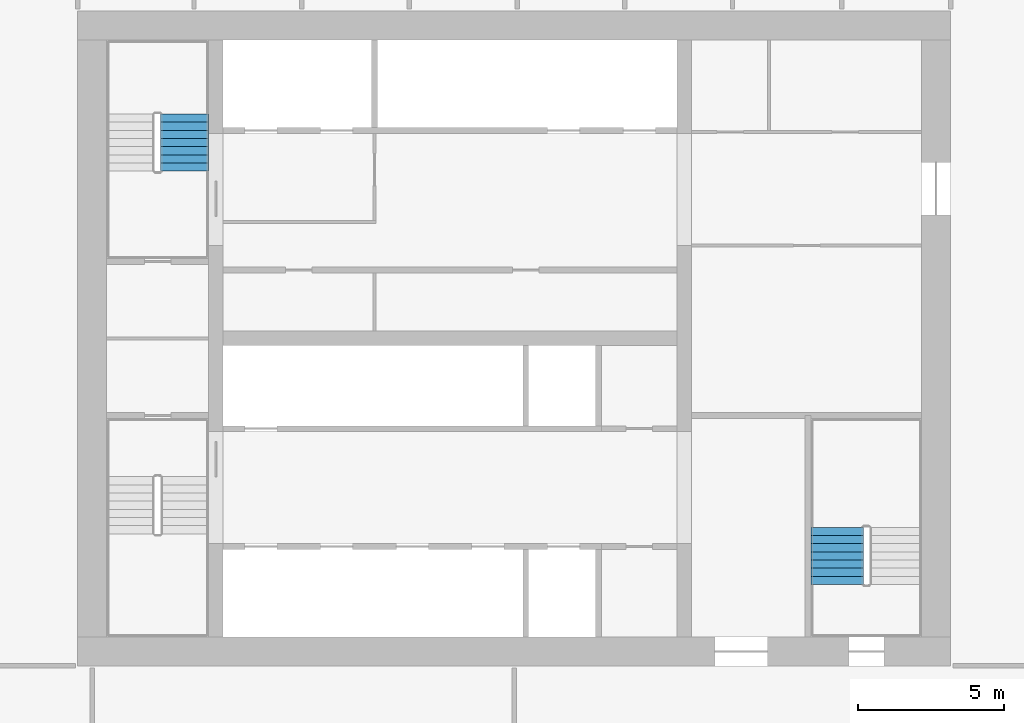
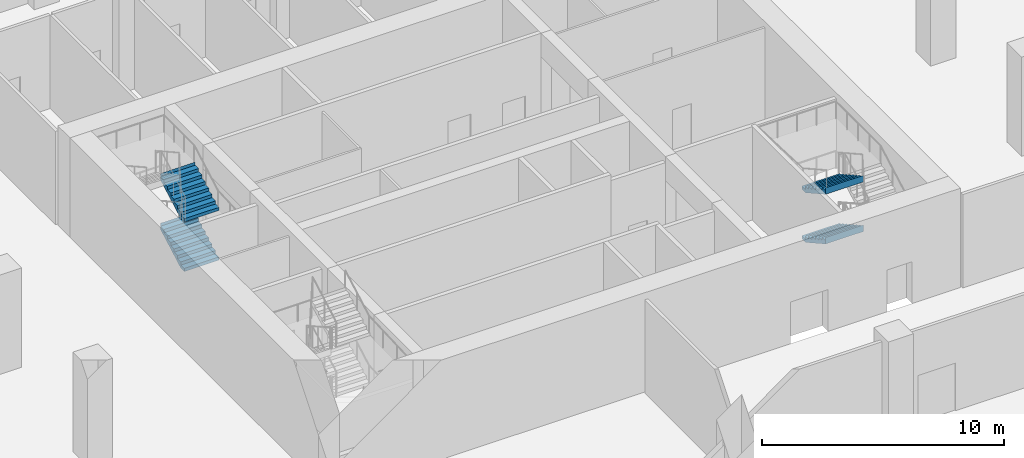
# One storey, part 15 of 32: 4 stair flights, 2 elements without a shape of their own.
"""IFC4 building model written with IfcOpenShell, lengths in metres."""

import ifcopenshell
import ifcopenshell.guid

model = None  # the IFC model being written
_history = None  # IfcOwnerHistory: only IFC2X3 demands one
_inside = {}  # id of a spatial element -> (the spatial element, [elements in it])
_under = {}  # id of a project, library or spatial element -> (it, [spatial elements below it])
_declared = {}  # id of a project -> (the project, [libraries it declares])
_typed = {}  # id of a type object -> (the type object, [elements of that type])
_made_of = {}  # id of a material, layer set ... -> (it, [elements and type objects made of it])


def new_model(schema):
    """Start an empty IFC model of exactly this schema.

    Asked for "IFC4X3", IfcOpenShell would pick the latest addendum, in which some entities
    have other attributes; the version numbers below select the first issue.
    IFC2X3 requires an IfcOwnerHistory on every rooted entity: one is made here for all.
    """
    global model, _history
    if schema == "IFC4X3":
        model = ifcopenshell.file(schema_version=(4, 3, 0, 0))
    else:
        model = ifcopenshell.file(schema=schema)
    _inside.clear()
    _under.clear()
    _declared.clear()
    _typed.clear()
    _made_of.clear()
    _history = None
    if model.schema == "IFC2X3":
        org = make("IfcOrganization", Name="unknown")
        user = make(
            "IfcPersonAndOrganization",
            ThePerson=make("IfcPerson", FamilyName="unknown"),
            TheOrganization=org,
        )
        app = make(
            "IfcApplication",
            ApplicationDeveloper=org,
            Version="unknown",
            ApplicationFullName="unknown",
            ApplicationIdentifier="unknown",
        )
        _history = make(
            "IfcOwnerHistory",
            OwningUser=user,
            OwningApplication=app,
            ChangeAction="ADDED",
            CreationDate=0,
        )
    return model


def make(cls, **values):
    """One entity of the class cls with the attributes given. An attribute that is None is left unset."""
    return model.create_entity(
        cls, **{name: value for name, value in values.items() if value is not None}
    )


def rooted(cls, **values):
    """An entity with a GlobalId (a new one), such as an element, a storey or a relation."""
    return make(cls, GlobalId=ifcopenshell.guid.new(), OwnerHistory=_history, **values)


def si_unit(unit_type, name, prefix=None):
    """IfcSIUnit, for example si_unit("LENGTHUNIT", "METRE", prefix="MILLI")."""
    return make("IfcSIUnit", UnitType=unit_type, Prefix=prefix, Name=name)


def assignment(units):
    """IfcUnitAssignment: the units of a project."""
    return None if units is None else make("IfcUnitAssignment", Units=units)


def point(xyz):
    """IfcCartesianPoint."""
    return None if xyz is None else make("IfcCartesianPoint", Coordinates=xyz)


def direction(xyz):
    """IfcDirection."""
    return None if xyz is None else make("IfcDirection", DirectionRatios=xyz)


def frame(location, z_axis=None, x_axis=None):
    """IfcAxis2Placement3D, a coordinate frame: its origin and axes. An axis left out is left unset."""
    return make(
        "IfcAxis2Placement3D",
        Location=point(location),
        Axis=direction(z_axis),
        RefDirection=direction(x_axis),
    )


def origin():
    """The frame at (0, 0, 0) with its axes left unset."""
    return frame((0.0, 0.0, 0.0))


def place(relative_to, where):
    """IfcLocalPlacement: puts the frame where relative to a parent placement (None: the world)."""
    return make(
        "IfcLocalPlacement", PlacementRelTo=relative_to, RelativePlacement=where
    )


def context(
    kind, dimensions, precision=None, world=None, true_north=None, identifier=None
):
    """IfcGeometricRepresentationContext, for example the 3D "Model" context."""
    return make(
        "IfcGeometricRepresentationContext",
        ContextIdentifier=identifier,
        ContextType=kind,
        CoordinateSpaceDimension=dimensions,
        Precision=precision,
        WorldCoordinateSystem=world,
        TrueNorth=true_north,
    )


def subcontext(parent, identifier, kind, view, scale=None):
    """IfcGeometricRepresentationSubContext, for example "Body" below "Model"."""
    return make(
        "IfcGeometricRepresentationSubContext",
        ContextIdentifier=identifier,
        ContextType=kind,
        ParentContext=parent,
        TargetScale=scale,
        TargetView=view,
    )


def project(units=None, contexts=None):
    """IfcProject with its units and contexts."""
    return rooted(
        "IfcProject",
        Name="project",
        RepresentationContexts=contexts,
        UnitsInContext=assignment(units),
    )


def spatial(cls, under=None, at=None, **own):
    """A site, building, storey or space (cls), placed at a placement, below another one or the project."""
    s = rooted(cls, ObjectPlacement=at, **own)
    if under is not None:
        _under.setdefault(under.id(), (under, []))[1].append(s)
    return s


def polyline(points):
    """IfcPolyline through the points."""
    return make("IfcPolyline", Points=[point(p) for p in points])


def outline(outer, holes=None, kind="AREA"):
    """IfcArbitraryClosedProfileDef: a profile drawn as a closed curve; with holes, ...WithVoids."""
    if holes is None:
        return make("IfcArbitraryClosedProfileDef", ProfileType=kind, OuterCurve=outer)
    return make(
        "IfcArbitraryProfileDefWithVoids",
        ProfileType=kind,
        OuterCurve=outer,
        InnerCurves=holes,
    )


def extrude(swept, where, along, depth):
    """IfcExtrudedAreaSolid: the profile swept, set in the frame where, extruded along a direction by depth."""
    return make(
        "IfcExtrudedAreaSolid",
        SweptArea=swept,
        Position=where,
        ExtrudedDirection=direction(along),
        Depth=depth,
    )


def shape(context_of_items, identifier, shape_type, items):
    """IfcShapeRepresentation: the items that make up one representation, for example the "Body"."""
    return make(
        "IfcShapeRepresentation",
        ContextOfItems=context_of_items,
        RepresentationIdentifier=identifier,
        RepresentationType=shape_type,
        Items=items,
    )


def material(Name=None, Category=None):
    """IfcMaterial."""
    return make("IfcMaterial", Name=Name, Category=Category)


def made_of(thing, what):
    """Note that an element or type object is made of a material, layer set ...; save() writes the relation."""
    if what is not None:
        _made_of.setdefault(what.id(), (what, []))[1].append(thing)
    return thing


def type_object(cls, material=None, **own):
    """A type object (cls), such as IfcWallType, which elements share."""
    return made_of(rooted(cls, **own), material)


def element(
    cls,
    number,
    at=None,
    inside=None,
    cuts=None,
    type_object=None,
    material=None,
    context=None,
    identifier="Body",
    shape_type=None,
    held_by="IfcProductDefinitionShape",
    body=None,
    shapes=None,
    **own,
):
    """One element of the class cls, such as IfcWall. Its Tag is "e" and its number.

    at: its placement. inside: the storey or other place that contains it. cuts: it is an
    opening in that element (IfcRelVoidsElement). A single representation is given by context,
    identifier, shape_type and body (its items); several are given by shapes. held_by: the class
    of the entity that holds the representations. save() writes the other relations.
    """
    e = rooted(cls, Tag="e%d" % number, ObjectPlacement=at, **own)
    if body is not None:
        shapes = [shape(context, identifier, shape_type, body)]
    if shapes is not None:
        e.Representation = make(held_by, Representations=shapes)
    if inside is not None:
        _inside.setdefault(inside.id(), (inside, []))[1].append(e)
    if cuts is not None:
        rooted(
            "IfcRelVoidsElement", RelatingBuildingElement=cuts, RelatedOpeningElement=e
        )
    if type_object is not None:
        _typed.setdefault(type_object.id(), (type_object, []))[1].append(e)
    return made_of(e, material)


def aggregate(whole, parts):
    """IfcRelAggregates: a whole, such as a stair, and the parts it consists of."""
    return rooted("IfcRelAggregates", RelatingObject=whole, RelatedObjects=parts)


def save(model, path):
    """Write the relations noted so far, then the file.

    IfcRelAggregates (storeys below a building ...), IfcRelContainedInSpatialStructure (elements
    in a storey), IfcRelDefinesByType, IfcRelAssociatesMaterial and IfcRelDeclares: one each for
    every whole, place, type object, material and project.
    """
    for whole, parts in _under.values():
        aggregate(whole, parts)
    for where, things in _inside.values():
        rooted(
            "IfcRelContainedInSpatialStructure",
            RelatedElements=things,
            RelatingStructure=where,
        )
    for kind, things in _typed.values():
        rooted("IfcRelDefinesByType", RelatedObjects=things, RelatingType=kind)
    for what, things in _made_of.values():
        rooted("IfcRelAssociatesMaterial", RelatedObjects=things, RelatingMaterial=what)
    for by, libraries in _declared.values():
        rooted("IfcRelDeclares", RelatingContext=by, RelatedDefinitions=libraries)
    model.write(path)


model = new_model("IFC4")

# Units and contexts
model_context = context("Model", 3, precision=1e-05, world=origin(), true_north=direction((0.0, 1.0)))
body_context = subcontext(model_context, "Body", "Model", "MODEL_VIEW")
ifc_project = project(units=[si_unit("LENGTHUNIT", "METRE"), si_unit("AREAUNIT", "SQUARE_METRE"), si_unit("VOLUMEUNIT", "CUBIC_METRE"), si_unit("PLANEANGLEUNIT", "RADIAN"), si_unit("MASSUNIT", "GRAM", prefix="KILO")], contexts=[model_context])

# Site, building, storey
site_placement = place(None, origin())
site = spatial("IfcSite", under=ifc_project, at=site_placement, CompositionType="ELEMENT")
building_placement = place(site_placement, origin())
building = spatial("IfcBuilding", under=site, at=building_placement, Name="Tamorin Gate", CompositionType="ELEMENT")
storey_placement = place(building_placement, frame((0.0, 0.0, 13.5)))
storey = spatial("IfcBuildingStorey", under=building, at=storey_placement, Name="L02", CompositionType="ELEMENT", Elevation=13.5)

# Stair, stair flights
ifc_material = material(Name="Concrete C40/50", Category="concrete")
stair_type = type_object("IfcStairType", Name="Exit stair", PredefinedType="HALF_TURN_STAIR", material=ifc_material)
stair_1_placement = place(storey_placement, origin())
stair_1 = element("IfcStair", 1, at=stair_1_placement, inside=storey, type_object=stair_type, Name="L02 stair ST2", PredefinedType="HALF_TURN_STAIR")
stair_flight_type = type_object("IfcStairFlightType", Name="Exit stair flight", PredefinedType="STRAIGHT", material=ifc_material)
stair_flight_1_placement = place(storey_placement, frame((33.675048828125, 77.0, 0.0), z_axis=(0.0, 0.0, 1.0), x_axis=(0.0, 1.0, 0.0)))
stair_flight_1 = element("IfcStairFlight", 2, at=stair_flight_1_placement, type_object=stair_flight_type, Name="ST2 flight 1", NumberOfRisers=8, NumberOfTreads=7, PredefinedType="STRAIGHT", RiserHeight=0.15625, TreadLength=0.28, context=body_context, shape_type="SweptSolid", body=[
    extrude(outline(polyline([(-0.00048828125, 0.0), (-0.00048828125, 0.00146484375), (-0.00048828125, 0.003173828125), (-0.00048828125, 0.004638671875), (-0.00048828125, 0.006103515625), (-0.00048828125, 0.0078125), (-0.00048828125, 0.00927734375), (-0.00048828125, 0.0107421875), (-0.00048828125, 0.012451171875), (-0.00048828125, 0.013916015625), (-0.00048828125, 0.015380859375), (-0.00048828125, 0.01708984375), (-0.00048828125, 0.0185546875), (-0.00048828125, 0.02001953125), (-0.00048828125, 0.021728515625), (-0.00048828125, 0.023193359375), (-0.00048828125, 0.024658203125), (-0.00048828125, 0.0263671875), (-0.00048828125, 0.02783203125), (-0.00048828125, 0.029296875), (-0.00048828125, 0.031005859375), (-0.00048828125, 0.032470703125), (-0.00048828125, 0.033935546875), (-0.00048828125, 0.03564453125), (-0.00048828125, 0.037109375), (-0.00048828125, 0.03857421875), (-0.00048828125, 0.040283203125), (-0.00048828125, 0.041748046875), (-0.00048828125, 0.043212890625), (-0.00048828125, 0.044921875), (-0.00048828125, 0.04638671875), (-0.00048828125, 0.0478515625), (-0.00048828125, 0.049560546875), (-0.00048828125, 0.051025390625), (-0.00048828125, 0.052490234375), (-0.00048828125, 0.05419921875), (-0.00048828125, 0.0556640625), (-0.00048828125, 0.05712890625), (-0.00048828125, 0.058837890625), (-0.00048828125, 0.060302734375), (-0.00048828125, 0.061767578125), (-0.00048828125, 0.0634765625), (-0.00048828125, 0.06494140625), (-0.00048828125, 0.06640625), (-0.00048828125, 0.068115234375), (-0.00048828125, 0.069580078125), (-0.00048828125, 0.071044921875), (-0.00048828125, 0.07275390625), (-0.00048828125, 0.07421875), (-0.00048828125, 0.07568359375), (-0.00048828125, 0.077392578125), (-0.00048828125, 0.078857421875), (-0.00048828125, 0.08056640625), (-0.00048828125, 0.08203125), (-0.00048828125, 0.08349609375), (-0.00048828125, 0.085205078125), (-0.00048828125, 0.086669921875), (-0.00048828125, 0.088134765625), (-0.00048828125, 0.08984375), (-0.00048828125, 0.09130859375), (-0.00048828125, 0.0927734375), (-0.00048828125, 0.094482421875), (-0.00048828125, 0.095947265625), (-0.00048828125, 0.097412109375), (-0.00048828125, 0.09912109375), (-0.00048828125, 0.1005859375), (-0.00048828125, 0.10205078125), (-0.00048828125, 0.103759765625), (-0.00048828125, 0.105224609375), (-0.00048828125, 0.106689453125), (-0.00048828125, 0.1083984375), (-0.00048828125, 0.10986328125), (-0.00048828125, 0.111328125), (-0.00048828125, 0.113037109375), (-0.00048828125, 0.114501953125), (-0.00048828125, 0.115966796875), (-0.00048828125, 0.11767578125), (-0.00048828125, 0.119140625), (-0.00048828125, 0.12060546875), (-0.00048828125, 0.122314453125), (-0.00048828125, 0.123779296875), (-0.00048828125, 0.125244140625), (-0.00048828125, 0.126953125), (-0.00048828125, 0.12841796875), (-0.00048828125, 0.1298828125), (-0.00048828125, 0.131591796875), (-0.00048828125, 0.133056640625), (-0.00048828125, 0.134521484375), (-0.00048828125, 0.13623046875), (-0.00048828125, 0.1376953125), (-0.00048828125, 0.13916015625), (-0.00048828125, 0.140869140625), (-0.00048828125, 0.142333984375), (-0.00048828125, 0.143798828125), (-0.00048828125, 0.1455078125), (-0.00048828125, 0.14697265625), (-0.00048828125, 0.1484375), (-0.00048828125, 0.150146484375), (-0.00048828125, 0.151611328125), (-0.00048828125, 0.153076171875), (-0.00048828125, 0.15478515625), (-0.00048828125, 0.15625), (0.280029296875, 0.15625), (0.280029296875, 0.3125), (0.56005859375, 0.3125), (0.56005859375, 0.46875), (0.840087890625, 0.46875), (0.840087890625, 0.625), (1.1201171875, 0.625), (1.1201171875, 0.78125), (1.39990234375, 0.78125), (1.39990234375, 0.9375), (1.679931640625, 0.9375), (1.679931640625, 1.09375), (1.9599609375, 1.09375), (1.9599609375, 1.25), (1.96044921875, 1.25), (1.96044921875, 1.246826171875), (1.96044921875, 1.243408203125), (1.96044921875, 1.240234375), (1.96044921875, 1.237060546875), (1.96044921875, 1.23388671875), (1.96044921875, 1.23046875), (1.96044921875, 1.227294921875), (1.96044921875, 1.22412109375), (1.96044921875, 1.220703125), (1.96044921875, 1.217529296875), (1.96044921875, 1.21435546875), (1.96044921875, 1.2109375), (1.96044921875, 1.207763671875), (1.96044921875, 1.20458984375), (1.96044921875, 1.201416015625), (1.96044921875, 1.197998046875), (1.96044921875, 1.19482421875), (1.96044921875, 1.191650390625), (1.96044921875, 1.188232421875), (1.96044921875, 1.18505859375), (1.96044921875, 1.181884765625), (1.96044921875, 1.178466796875), (1.96044921875, 1.17529296875), (1.96044921875, 1.172119140625), (1.96044921875, 1.1689453125), (1.96044921875, 1.16552734375), (1.96044921875, 1.162353515625), (1.96044921875, 1.1591796875), (1.96044921875, 1.15576171875), (1.96044921875, 1.152587890625), (1.96044921875, 1.1494140625), (1.96044921875, 1.14599609375), (1.96044921875, 1.142822265625), (1.96044921875, 1.1396484375), (1.96044921875, 1.136474609375), (1.96044921875, 1.133056640625), (1.96044921875, 1.1298828125), (1.96044921875, 1.126708984375), (1.96044921875, 1.123291015625), (1.96044921875, 1.1201171875), (1.96044921875, 1.116943359375), (1.96044921875, 1.113525390625), (1.96044921875, 1.1103515625), (1.96044921875, 1.107177734375), (1.96044921875, 1.10400390625), (1.96044921875, 1.1005859375), (1.96044921875, 1.097412109375), (1.96044921875, 1.09423828125), (1.96044921875, 1.0908203125), (1.96044921875, 1.087646484375), (1.96044921875, 1.08447265625), (1.96044921875, 1.0810546875), (1.96044921875, 1.077880859375), (1.96044921875, 1.07470703125), (1.96044921875, 1.071533203125), (1.96044921875, 1.068115234375), (1.96044921875, 1.06494140625), (1.96044921875, 1.061767578125), (1.96044921875, 1.058349609375), (1.96044921875, 1.05517578125), (1.96044921875, 1.052001953125), (1.96044921875, 1.048828125), (1.96044921875, 1.04541015625), (1.96044921875, 1.042236328125), (1.96044921875, 1.0390625), (1.96044921875, 1.03564453125), (1.96044921875, 1.032470703125), (1.96044921875, 1.029296875), (1.96044921875, 1.02587890625), (1.96044921875, 1.022705078125), (1.96044921875, 1.01953125), (1.96044921875, 1.016357421875), (1.96044921875, 1.012939453125), (1.96044921875, 1.009765625), (1.96044921875, 1.006591796875), (1.96044921875, 1.003173828125), (1.96044921875, 1.0), (1.96044921875, 0.996826171875), (1.96044921875, 0.993408203125), (1.96044921875, 0.990234375), (1.96044921875, 0.987060546875), (1.96044921875, 0.98388671875), (1.96044921875, 0.98046875), (1.96044921875, 0.977294921875), (1.96044921875, 0.97412109375), (1.96044921875, 0.970703125), (1.96044921875, 0.967529296875), (1.96044921875, 0.96435546875), (1.96044921875, 0.9609375), (1.96044921875, 0.957763671875), (1.96044921875, 0.95458984375), (1.96044921875, 0.951416015625), (1.96044921875, 0.947998046875), (1.96044921875, 0.94482421875), (1.96044921875, 0.941650390625), (1.96044921875, 0.938232421875), (1.96044921875, 0.93505859375), (1.96044921875, 0.931884765625), (1.96044921875, 0.928466796875), (1.96044921875, 0.92529296875), (1.96044921875, 0.922119140625), (1.9599609375, 0.922119140625), (0.3076171875, 0.0), (-0.00048828125, 0.0)])), frame((0.0, 0.824951171875, 0.0), z_axis=(0.0, -1.0, 0.0), x_axis=(1.0, 0.0, 0.0)), (0.0, 0.0, 1.0), 1.64990234375),
])
stair_flight_2_placement = place(storey_placement, frame((33.675048828125, 77.0, 2.5), z_axis=(0.0, 0.0, 1.0), x_axis=(0.0, 1.0, 0.0)))
stair_flight_2 = element("IfcStairFlight", 3, at=stair_flight_2_placement, type_object=stair_flight_type, Name="ST2 flight 3", NumberOfRisers=8, NumberOfTreads=7, PredefinedType="STRAIGHT", RiserHeight=0.15625, TreadLength=0.28, context=body_context, shape_type="SweptSolid", body=[
    extrude(outline(polyline([(-0.00048828125, 0.0), (-0.00048828125, 0.00146484375), (-0.00048828125, 0.003173828125), (-0.00048828125, 0.004638671875), (-0.00048828125, 0.006103515625), (-0.00048828125, 0.0078125), (-0.00048828125, 0.00927734375), (-0.00048828125, 0.0107421875), (-0.00048828125, 0.012451171875), (-0.00048828125, 0.013916015625), (-0.00048828125, 0.015380859375), (-0.00048828125, 0.01708984375), (-0.00048828125, 0.0185546875), (-0.00048828125, 0.02001953125), (-0.00048828125, 0.021728515625), (-0.00048828125, 0.023193359375), (-0.00048828125, 0.024658203125), (-0.00048828125, 0.0263671875), (-0.00048828125, 0.02783203125), (-0.00048828125, 0.029296875), (-0.00048828125, 0.031005859375), (-0.00048828125, 0.032470703125), (-0.00048828125, 0.033935546875), (-0.00048828125, 0.03564453125), (-0.00048828125, 0.037109375), (-0.00048828125, 0.03857421875), (-0.00048828125, 0.040283203125), (-0.00048828125, 0.041748046875), (-0.00048828125, 0.043212890625), (-0.00048828125, 0.044921875), (-0.00048828125, 0.04638671875), (-0.00048828125, 0.0478515625), (-0.00048828125, 0.049560546875), (-0.00048828125, 0.051025390625), (-0.00048828125, 0.052490234375), (-0.00048828125, 0.05419921875), (-0.00048828125, 0.0556640625), (-0.00048828125, 0.05712890625), (-0.00048828125, 0.058837890625), (-0.00048828125, 0.060302734375), (-0.00048828125, 0.061767578125), (-0.00048828125, 0.0634765625), (-0.00048828125, 0.06494140625), (-0.00048828125, 0.06640625), (-0.00048828125, 0.068115234375), (-0.00048828125, 0.069580078125), (-0.00048828125, 0.071044921875), (-0.00048828125, 0.07275390625), (-0.00048828125, 0.07421875), (-0.00048828125, 0.07568359375), (-0.00048828125, 0.077392578125), (-0.00048828125, 0.078857421875), (-0.00048828125, 0.08056640625), (-0.00048828125, 0.08203125), (-0.00048828125, 0.08349609375), (-0.00048828125, 0.085205078125), (-0.00048828125, 0.086669921875), (-0.00048828125, 0.088134765625), (-0.00048828125, 0.08984375), (-0.00048828125, 0.09130859375), (-0.00048828125, 0.0927734375), (-0.00048828125, 0.094482421875), (-0.00048828125, 0.095947265625), (-0.00048828125, 0.097412109375), (-0.00048828125, 0.09912109375), (-0.00048828125, 0.1005859375), (-0.00048828125, 0.10205078125), (-0.00048828125, 0.103759765625), (-0.00048828125, 0.105224609375), (-0.00048828125, 0.106689453125), (-0.00048828125, 0.1083984375), (-0.00048828125, 0.10986328125), (-0.00048828125, 0.111328125), (-0.00048828125, 0.113037109375), (-0.00048828125, 0.114501953125), (-0.00048828125, 0.115966796875), (-0.00048828125, 0.11767578125), (-0.00048828125, 0.119140625), (-0.00048828125, 0.12060546875), (-0.00048828125, 0.122314453125), (-0.00048828125, 0.123779296875), (-0.00048828125, 0.125244140625), (-0.00048828125, 0.126953125), (-0.00048828125, 0.12841796875), (-0.00048828125, 0.1298828125), (-0.00048828125, 0.131591796875), (-0.00048828125, 0.133056640625), (-0.00048828125, 0.134521484375), (-0.00048828125, 0.13623046875), (-0.00048828125, 0.1376953125), (-0.00048828125, 0.13916015625), (-0.00048828125, 0.140869140625), (-0.00048828125, 0.142333984375), (-0.00048828125, 0.143798828125), (-0.00048828125, 0.1455078125), (-0.00048828125, 0.14697265625), (-0.00048828125, 0.1484375), (-0.00048828125, 0.150146484375), (-0.00048828125, 0.151611328125), (-0.00048828125, 0.153076171875), (-0.00048828125, 0.15478515625), (-0.00048828125, 0.15625), (0.280029296875, 0.15625), (0.280029296875, 0.3125), (0.56005859375, 0.3125), (0.56005859375, 0.46875), (0.840087890625, 0.46875), (0.840087890625, 0.625), (1.1201171875, 0.625), (1.1201171875, 0.78125), (1.39990234375, 0.78125), (1.39990234375, 0.9375), (1.679931640625, 0.9375), (1.679931640625, 1.09375), (1.9599609375, 1.09375), (1.9599609375, 1.25), (1.96044921875, 1.25), (1.96044921875, 1.246826171875), (1.96044921875, 1.243408203125), (1.96044921875, 1.240234375), (1.96044921875, 1.237060546875), (1.96044921875, 1.23388671875), (1.96044921875, 1.23046875), (1.96044921875, 1.227294921875), (1.96044921875, 1.22412109375), (1.96044921875, 1.220703125), (1.96044921875, 1.217529296875), (1.96044921875, 1.21435546875), (1.96044921875, 1.2109375), (1.96044921875, 1.207763671875), (1.96044921875, 1.20458984375), (1.96044921875, 1.201416015625), (1.96044921875, 1.197998046875), (1.96044921875, 1.19482421875), (1.96044921875, 1.191650390625), (1.96044921875, 1.188232421875), (1.96044921875, 1.18505859375), (1.96044921875, 1.181884765625), (1.96044921875, 1.178466796875), (1.96044921875, 1.17529296875), (1.96044921875, 1.172119140625), (1.96044921875, 1.1689453125), (1.96044921875, 1.16552734375), (1.96044921875, 1.162353515625), (1.96044921875, 1.1591796875), (1.96044921875, 1.15576171875), (1.96044921875, 1.152587890625), (1.96044921875, 1.1494140625), (1.96044921875, 1.14599609375), (1.96044921875, 1.142822265625), (1.96044921875, 1.1396484375), (1.96044921875, 1.136474609375), (1.96044921875, 1.133056640625), (1.96044921875, 1.1298828125), (1.96044921875, 1.126708984375), (1.96044921875, 1.123291015625), (1.96044921875, 1.1201171875), (1.96044921875, 1.116943359375), (1.96044921875, 1.113525390625), (1.96044921875, 1.1103515625), (1.96044921875, 1.107177734375), (1.96044921875, 1.10400390625), (1.96044921875, 1.1005859375), (1.96044921875, 1.097412109375), (1.96044921875, 1.09423828125), (1.96044921875, 1.0908203125), (1.96044921875, 1.087646484375), (1.96044921875, 1.08447265625), (1.96044921875, 1.0810546875), (1.96044921875, 1.077880859375), (1.96044921875, 1.07470703125), (1.96044921875, 1.071533203125), (1.96044921875, 1.068115234375), (1.96044921875, 1.06494140625), (1.96044921875, 1.061767578125), (1.96044921875, 1.058349609375), (1.96044921875, 1.05517578125), (1.96044921875, 1.052001953125), (1.96044921875, 1.048828125), (1.96044921875, 1.04541015625), (1.96044921875, 1.042236328125), (1.96044921875, 1.0390625), (1.96044921875, 1.03564453125), (1.96044921875, 1.032470703125), (1.96044921875, 1.029296875), (1.96044921875, 1.02587890625), (1.96044921875, 1.022705078125), (1.96044921875, 1.01953125), (1.96044921875, 1.016357421875), (1.96044921875, 1.012939453125), (1.96044921875, 1.009765625), (1.96044921875, 1.006591796875), (1.96044921875, 1.003173828125), (1.96044921875, 1.0), (1.96044921875, 0.996826171875), (1.96044921875, 0.993408203125), (1.96044921875, 0.990234375), (1.96044921875, 0.987060546875), (1.96044921875, 0.98388671875), (1.96044921875, 0.98046875), (1.96044921875, 0.977294921875), (1.96044921875, 0.97412109375), (1.96044921875, 0.970703125), (1.96044921875, 0.967529296875), (1.96044921875, 0.96435546875), (1.96044921875, 0.9609375), (1.96044921875, 0.957763671875), (1.96044921875, 0.95458984375), (1.96044921875, 0.951416015625), (1.96044921875, 0.947998046875), (1.96044921875, 0.94482421875), (1.96044921875, 0.941650390625), (1.96044921875, 0.938232421875), (1.96044921875, 0.93505859375), (1.96044921875, 0.931884765625), (1.96044921875, 0.928466796875), (1.96044921875, 0.92529296875), (1.96044921875, 0.922119140625), (1.9599609375, 0.922119140625), (0.3076171875, 0.0), (-0.00048828125, 0.0)])), frame((0.0, 0.824951171875, 0.0), z_axis=(0.0, -1.0, 0.0), x_axis=(1.0, 0.0, 0.0)), (0.0, 0.0, 1.0), 1.64990234375),
])
aggregate(stair_1, [stair_flight_1, stair_flight_2])

stair_2_placement = place(storey_placement, origin())
stair_2 = element("IfcStair", 4, at=stair_2_placement, inside=storey, type_object=stair_type, Name="L02 stair ST3", PredefinedType="HALF_TURN_STAIR")
stair_flight_3_placement = place(storey_placement, frame((56.10009765625, 64.760009765625, 1.25), z_axis=(0.0, 0.0, 1.0), x_axis=(0.0, -1.0, 0.0)))
stair_flight_3 = element("IfcStairFlight", 5, at=stair_flight_3_placement, type_object=stair_flight_type, Name="ST3 flight 2", NumberOfRisers=8, NumberOfTreads=7, PredefinedType="STRAIGHT", RiserHeight=0.15625, TreadLength=0.28, context=body_context, shape_type="SweptSolid", body=[
    extrude(outline(polyline([(-0.00048828125, 0.0), (-0.00048828125, 0.00146484375), (-0.00048828125, 0.003173828125), (-0.00048828125, 0.004638671875), (-0.00048828125, 0.006103515625), (-0.00048828125, 0.0078125), (-0.00048828125, 0.00927734375), (-0.00048828125, 0.0107421875), (-0.00048828125, 0.012451171875), (-0.00048828125, 0.013916015625), (-0.00048828125, 0.015380859375), (-0.00048828125, 0.01708984375), (-0.00048828125, 0.0185546875), (-0.00048828125, 0.02001953125), (-0.00048828125, 0.021728515625), (-0.00048828125, 0.023193359375), (-0.00048828125, 0.024658203125), (-0.00048828125, 0.0263671875), (-0.00048828125, 0.02783203125), (-0.00048828125, 0.029296875), (-0.00048828125, 0.031005859375), (-0.00048828125, 0.032470703125), (-0.00048828125, 0.033935546875), (-0.00048828125, 0.03564453125), (-0.00048828125, 0.037109375), (-0.00048828125, 0.03857421875), (-0.00048828125, 0.040283203125), (-0.00048828125, 0.041748046875), (-0.00048828125, 0.043212890625), (-0.00048828125, 0.044921875), (-0.00048828125, 0.04638671875), (-0.00048828125, 0.0478515625), (-0.00048828125, 0.049560546875), (-0.00048828125, 0.051025390625), (-0.00048828125, 0.052490234375), (-0.00048828125, 0.05419921875), (-0.00048828125, 0.0556640625), (-0.00048828125, 0.05712890625), (-0.00048828125, 0.058837890625), (-0.00048828125, 0.060302734375), (-0.00048828125, 0.061767578125), (-0.00048828125, 0.0634765625), (-0.00048828125, 0.06494140625), (-0.00048828125, 0.06640625), (-0.00048828125, 0.068115234375), (-0.00048828125, 0.069580078125), (-0.00048828125, 0.071044921875), (-0.00048828125, 0.07275390625), (-0.00048828125, 0.07421875), (-0.00048828125, 0.07568359375), (-0.00048828125, 0.077392578125), (-0.00048828125, 0.078857421875), (-0.00048828125, 0.08056640625), (-0.00048828125, 0.08203125), (-0.00048828125, 0.08349609375), (-0.00048828125, 0.085205078125), (-0.00048828125, 0.086669921875), (-0.00048828125, 0.088134765625), (-0.00048828125, 0.08984375), (-0.00048828125, 0.09130859375), (-0.00048828125, 0.0927734375), (-0.00048828125, 0.094482421875), (-0.00048828125, 0.095947265625), (-0.00048828125, 0.097412109375), (-0.00048828125, 0.09912109375), (-0.00048828125, 0.1005859375), (-0.00048828125, 0.10205078125), (-0.00048828125, 0.103759765625), (-0.00048828125, 0.105224609375), (-0.00048828125, 0.106689453125), (-0.00048828125, 0.1083984375), (-0.00048828125, 0.10986328125), (-0.00048828125, 0.111328125), (-0.00048828125, 0.113037109375), (-0.00048828125, 0.114501953125), (-0.00048828125, 0.115966796875), (-0.00048828125, 0.11767578125), (-0.00048828125, 0.119140625), (-0.00048828125, 0.12060546875), (-0.00048828125, 0.122314453125), (-0.00048828125, 0.123779296875), (-0.00048828125, 0.125244140625), (-0.00048828125, 0.126953125), (-0.00048828125, 0.12841796875), (-0.00048828125, 0.1298828125), (-0.00048828125, 0.131591796875), (-0.00048828125, 0.133056640625), (-0.00048828125, 0.134521484375), (-0.00048828125, 0.13623046875), (-0.00048828125, 0.1376953125), (-0.00048828125, 0.13916015625), (-0.00048828125, 0.140869140625), (-0.00048828125, 0.142333984375), (-0.00048828125, 0.143798828125), (-0.00048828125, 0.1455078125), (-0.00048828125, 0.14697265625), (-0.00048828125, 0.1484375), (-0.00048828125, 0.150146484375), (-0.00048828125, 0.151611328125), (-0.00048828125, 0.153076171875), (-0.00048828125, 0.15478515625), (-0.00048828125, 0.15625), (0.280029296875, 0.15625), (0.280029296875, 0.3125), (0.56005859375, 0.3125), (0.56005859375, 0.46875), (0.840087890625, 0.46875), (0.840087890625, 0.625), (1.1201171875, 0.625), (1.1201171875, 0.78125), (1.39990234375, 0.78125), (1.39990234375, 0.9375), (1.679931640625, 0.9375), (1.679931640625, 1.09375), (1.9599609375, 1.09375), (1.9599609375, 1.25), (1.96044921875, 1.25), (1.96044921875, 1.246826171875), (1.96044921875, 1.243408203125), (1.96044921875, 1.240234375), (1.96044921875, 1.237060546875), (1.96044921875, 1.23388671875), (1.96044921875, 1.23046875), (1.96044921875, 1.227294921875), (1.96044921875, 1.22412109375), (1.96044921875, 1.220703125), (1.96044921875, 1.217529296875), (1.96044921875, 1.21435546875), (1.96044921875, 1.2109375), (1.96044921875, 1.207763671875), (1.96044921875, 1.20458984375), (1.96044921875, 1.201416015625), (1.96044921875, 1.197998046875), (1.96044921875, 1.19482421875), (1.96044921875, 1.191650390625), (1.96044921875, 1.188232421875), (1.96044921875, 1.18505859375), (1.96044921875, 1.181884765625), (1.96044921875, 1.178466796875), (1.96044921875, 1.17529296875), (1.96044921875, 1.172119140625), (1.96044921875, 1.1689453125), (1.96044921875, 1.16552734375), (1.96044921875, 1.162353515625), (1.96044921875, 1.1591796875), (1.96044921875, 1.15576171875), (1.96044921875, 1.152587890625), (1.96044921875, 1.1494140625), (1.96044921875, 1.14599609375), (1.96044921875, 1.142822265625), (1.96044921875, 1.1396484375), (1.96044921875, 1.136474609375), (1.96044921875, 1.133056640625), (1.96044921875, 1.1298828125), (1.96044921875, 1.126708984375), (1.96044921875, 1.123291015625), (1.96044921875, 1.1201171875), (1.96044921875, 1.116943359375), (1.96044921875, 1.113525390625), (1.96044921875, 1.1103515625), (1.96044921875, 1.107177734375), (1.96044921875, 1.10400390625), (1.96044921875, 1.1005859375), (1.96044921875, 1.097412109375), (1.96044921875, 1.09423828125), (1.96044921875, 1.0908203125), (1.96044921875, 1.087646484375), (1.96044921875, 1.08447265625), (1.96044921875, 1.0810546875), (1.96044921875, 1.077880859375), (1.96044921875, 1.07470703125), (1.96044921875, 1.071533203125), (1.96044921875, 1.068115234375), (1.96044921875, 1.06494140625), (1.96044921875, 1.061767578125), (1.96044921875, 1.058349609375), (1.96044921875, 1.05517578125), (1.96044921875, 1.052001953125), (1.96044921875, 1.048828125), (1.96044921875, 1.04541015625), (1.96044921875, 1.042236328125), (1.96044921875, 1.0390625), (1.96044921875, 1.03564453125), (1.96044921875, 1.032470703125), (1.96044921875, 1.029296875), (1.96044921875, 1.02587890625), (1.96044921875, 1.022705078125), (1.96044921875, 1.01953125), (1.96044921875, 1.016357421875), (1.96044921875, 1.012939453125), (1.96044921875, 1.009765625), (1.96044921875, 1.006591796875), (1.96044921875, 1.003173828125), (1.96044921875, 1.0), (1.96044921875, 0.996826171875), (1.96044921875, 0.993408203125), (1.96044921875, 0.990234375), (1.96044921875, 0.987060546875), (1.96044921875, 0.98388671875), (1.96044921875, 0.98046875), (1.96044921875, 0.977294921875), (1.96044921875, 0.97412109375), (1.96044921875, 0.970703125), (1.96044921875, 0.967529296875), (1.96044921875, 0.96435546875), (1.96044921875, 0.9609375), (1.96044921875, 0.957763671875), (1.96044921875, 0.95458984375), (1.96044921875, 0.951416015625), (1.96044921875, 0.947998046875), (1.96044921875, 0.94482421875), (1.96044921875, 0.941650390625), (1.96044921875, 0.938232421875), (1.96044921875, 0.93505859375), (1.96044921875, 0.931884765625), (1.96044921875, 0.928466796875), (1.96044921875, 0.92529296875), (1.96044921875, 0.922119140625), (1.9599609375, 0.922119140625), (0.3076171875, 0.0), (-0.00048828125, 0.0)])), frame((0.0, 0.89990234375, 0.0), z_axis=(0.0, -1.0, 0.0), x_axis=(1.0, 0.0, 0.0)), (0.0, 0.0, 1.0), 1.800048828125),
])
stair_flight_4_placement = place(storey_placement, frame((56.10009765625, 64.760009765625, 3.75), z_axis=(0.0, 0.0, 1.0), x_axis=(0.0, -1.0, 0.0)))
stair_flight_4 = element("IfcStairFlight", 6, at=stair_flight_4_placement, type_object=stair_flight_type, Name="ST3 flight 4", NumberOfRisers=8, NumberOfTreads=7, PredefinedType="STRAIGHT", RiserHeight=0.15625, TreadLength=0.28, context=body_context, shape_type="SweptSolid", body=[
    extrude(outline(polyline([(-0.00048828125, 0.0), (-0.00048828125, 0.00146484375), (-0.00048828125, 0.003173828125), (-0.00048828125, 0.004638671875), (-0.00048828125, 0.006103515625), (-0.00048828125, 0.0078125), (-0.00048828125, 0.00927734375), (-0.00048828125, 0.0107421875), (-0.00048828125, 0.012451171875), (-0.00048828125, 0.013916015625), (-0.00048828125, 0.015380859375), (-0.00048828125, 0.01708984375), (-0.00048828125, 0.0185546875), (-0.00048828125, 0.02001953125), (-0.00048828125, 0.021728515625), (-0.00048828125, 0.023193359375), (-0.00048828125, 0.024658203125), (-0.00048828125, 0.0263671875), (-0.00048828125, 0.02783203125), (-0.00048828125, 0.029296875), (-0.00048828125, 0.031005859375), (-0.00048828125, 0.032470703125), (-0.00048828125, 0.033935546875), (-0.00048828125, 0.03564453125), (-0.00048828125, 0.037109375), (-0.00048828125, 0.03857421875), (-0.00048828125, 0.040283203125), (-0.00048828125, 0.041748046875), (-0.00048828125, 0.043212890625), (-0.00048828125, 0.044921875), (-0.00048828125, 0.04638671875), (-0.00048828125, 0.0478515625), (-0.00048828125, 0.049560546875), (-0.00048828125, 0.051025390625), (-0.00048828125, 0.052490234375), (-0.00048828125, 0.05419921875), (-0.00048828125, 0.0556640625), (-0.00048828125, 0.05712890625), (-0.00048828125, 0.058837890625), (-0.00048828125, 0.060302734375), (-0.00048828125, 0.061767578125), (-0.00048828125, 0.0634765625), (-0.00048828125, 0.06494140625), (-0.00048828125, 0.06640625), (-0.00048828125, 0.068115234375), (-0.00048828125, 0.069580078125), (-0.00048828125, 0.071044921875), (-0.00048828125, 0.07275390625), (-0.00048828125, 0.07421875), (-0.00048828125, 0.07568359375), (-0.00048828125, 0.077392578125), (-0.00048828125, 0.078857421875), (-0.00048828125, 0.08056640625), (-0.00048828125, 0.08203125), (-0.00048828125, 0.08349609375), (-0.00048828125, 0.085205078125), (-0.00048828125, 0.086669921875), (-0.00048828125, 0.088134765625), (-0.00048828125, 0.08984375), (-0.00048828125, 0.09130859375), (-0.00048828125, 0.0927734375), (-0.00048828125, 0.094482421875), (-0.00048828125, 0.095947265625), (-0.00048828125, 0.097412109375), (-0.00048828125, 0.09912109375), (-0.00048828125, 0.1005859375), (-0.00048828125, 0.10205078125), (-0.00048828125, 0.103759765625), (-0.00048828125, 0.105224609375), (-0.00048828125, 0.106689453125), (-0.00048828125, 0.1083984375), (-0.00048828125, 0.10986328125), (-0.00048828125, 0.111328125), (-0.00048828125, 0.113037109375), (-0.00048828125, 0.114501953125), (-0.00048828125, 0.115966796875), (-0.00048828125, 0.11767578125), (-0.00048828125, 0.119140625), (-0.00048828125, 0.12060546875), (-0.00048828125, 0.122314453125), (-0.00048828125, 0.123779296875), (-0.00048828125, 0.125244140625), (-0.00048828125, 0.126953125), (-0.00048828125, 0.12841796875), (-0.00048828125, 0.1298828125), (-0.00048828125, 0.131591796875), (-0.00048828125, 0.133056640625), (-0.00048828125, 0.134521484375), (-0.00048828125, 0.13623046875), (-0.00048828125, 0.1376953125), (-0.00048828125, 0.13916015625), (-0.00048828125, 0.140869140625), (-0.00048828125, 0.142333984375), (-0.00048828125, 0.143798828125), (-0.00048828125, 0.1455078125), (-0.00048828125, 0.14697265625), (-0.00048828125, 0.1484375), (-0.00048828125, 0.150146484375), (-0.00048828125, 0.151611328125), (-0.00048828125, 0.153076171875), (-0.00048828125, 0.15478515625), (-0.00048828125, 0.15625), (0.280029296875, 0.15625), (0.280029296875, 0.3125), (0.56005859375, 0.3125), (0.56005859375, 0.46875), (0.840087890625, 0.46875), (0.840087890625, 0.625), (1.1201171875, 0.625), (1.1201171875, 0.78125), (1.39990234375, 0.78125), (1.39990234375, 0.9375), (1.679931640625, 0.9375), (1.679931640625, 1.09375), (1.9599609375, 1.09375), (1.9599609375, 1.25), (1.96044921875, 1.25), (1.96044921875, 1.246826171875), (1.96044921875, 1.243408203125), (1.96044921875, 1.240234375), (1.96044921875, 1.237060546875), (1.96044921875, 1.23388671875), (1.96044921875, 1.23046875), (1.96044921875, 1.227294921875), (1.96044921875, 1.22412109375), (1.96044921875, 1.220703125), (1.96044921875, 1.217529296875), (1.96044921875, 1.21435546875), (1.96044921875, 1.2109375), (1.96044921875, 1.207763671875), (1.96044921875, 1.20458984375), (1.96044921875, 1.201416015625), (1.96044921875, 1.197998046875), (1.96044921875, 1.19482421875), (1.96044921875, 1.191650390625), (1.96044921875, 1.188232421875), (1.96044921875, 1.18505859375), (1.96044921875, 1.181884765625), (1.96044921875, 1.178466796875), (1.96044921875, 1.17529296875), (1.96044921875, 1.172119140625), (1.96044921875, 1.1689453125), (1.96044921875, 1.16552734375), (1.96044921875, 1.162353515625), (1.96044921875, 1.1591796875), (1.96044921875, 1.15576171875), (1.96044921875, 1.152587890625), (1.96044921875, 1.1494140625), (1.96044921875, 1.14599609375), (1.96044921875, 1.142822265625), (1.96044921875, 1.1396484375), (1.96044921875, 1.136474609375), (1.96044921875, 1.133056640625), (1.96044921875, 1.1298828125), (1.96044921875, 1.126708984375), (1.96044921875, 1.123291015625), (1.96044921875, 1.1201171875), (1.96044921875, 1.116943359375), (1.96044921875, 1.113525390625), (1.96044921875, 1.1103515625), (1.96044921875, 1.107177734375), (1.96044921875, 1.10400390625), (1.96044921875, 1.1005859375), (1.96044921875, 1.097412109375), (1.96044921875, 1.09423828125), (1.96044921875, 1.0908203125), (1.96044921875, 1.087646484375), (1.96044921875, 1.08447265625), (1.96044921875, 1.0810546875), (1.96044921875, 1.077880859375), (1.96044921875, 1.07470703125), (1.96044921875, 1.071533203125), (1.96044921875, 1.068115234375), (1.96044921875, 1.06494140625), (1.96044921875, 1.061767578125), (1.96044921875, 1.058349609375), (1.96044921875, 1.05517578125), (1.96044921875, 1.052001953125), (1.96044921875, 1.048828125), (1.96044921875, 1.04541015625), (1.96044921875, 1.042236328125), (1.96044921875, 1.0390625), (1.96044921875, 1.03564453125), (1.96044921875, 1.032470703125), (1.96044921875, 1.029296875), (1.96044921875, 1.02587890625), (1.96044921875, 1.022705078125), (1.96044921875, 1.01953125), (1.96044921875, 1.016357421875), (1.96044921875, 1.012939453125), (1.96044921875, 1.009765625), (1.96044921875, 1.006591796875), (1.96044921875, 1.003173828125), (1.96044921875, 1.0), (1.96044921875, 0.996826171875), (1.96044921875, 0.993408203125), (1.96044921875, 0.990234375), (1.96044921875, 0.987060546875), (1.96044921875, 0.98388671875), (1.96044921875, 0.98046875), (1.96044921875, 0.977294921875), (1.96044921875, 0.97412109375), (1.96044921875, 0.970703125), (1.96044921875, 0.967529296875), (1.96044921875, 0.96435546875), (1.96044921875, 0.9609375), (1.96044921875, 0.957763671875), (1.96044921875, 0.95458984375), (1.96044921875, 0.951416015625), (1.96044921875, 0.947998046875), (1.96044921875, 0.94482421875), (1.96044921875, 0.941650390625), (1.96044921875, 0.938232421875), (1.96044921875, 0.93505859375), (1.96044921875, 0.931884765625), (1.96044921875, 0.928466796875), (1.96044921875, 0.92529296875), (1.96044921875, 0.922119140625), (1.9599609375, 0.922119140625), (0.3076171875, 0.0), (-0.00048828125, 0.0)])), frame((0.0, 0.89990234375, 0.0), z_axis=(0.0, -1.0, 0.0), x_axis=(1.0, 0.0, 0.0)), (0.0, 0.0, 1.0), 1.800048828125),
])
aggregate(stair_2, [stair_flight_3, stair_flight_4])

save(model, "model.ifc")
